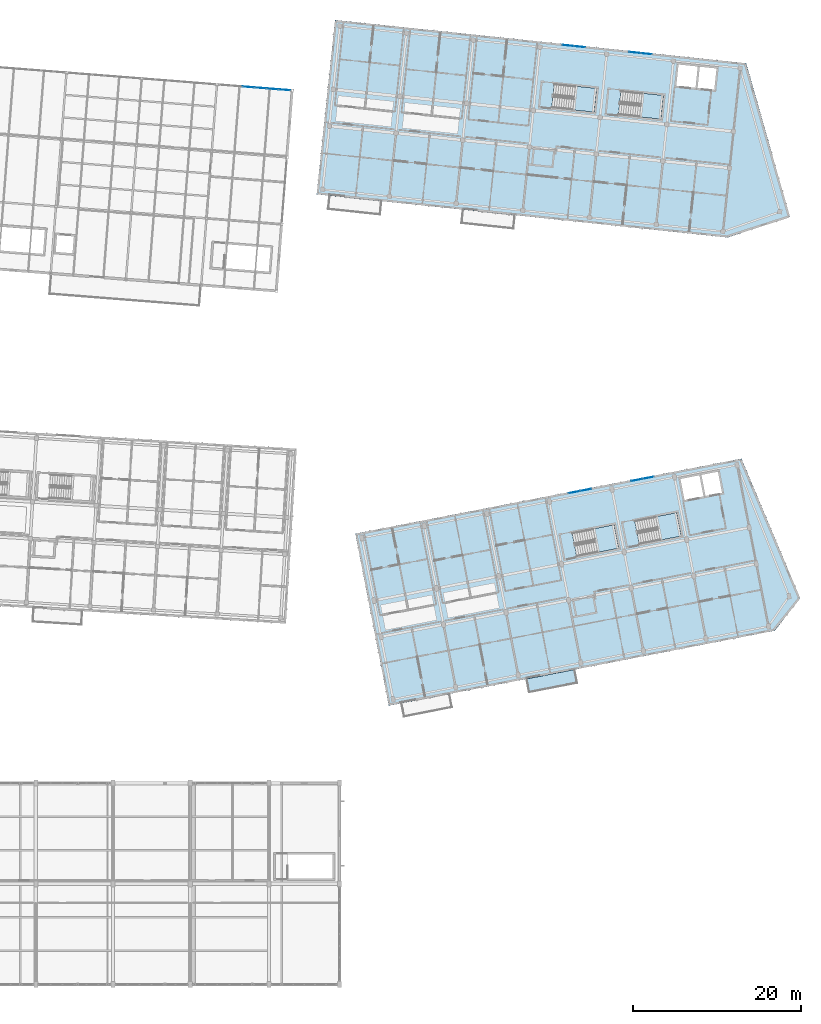
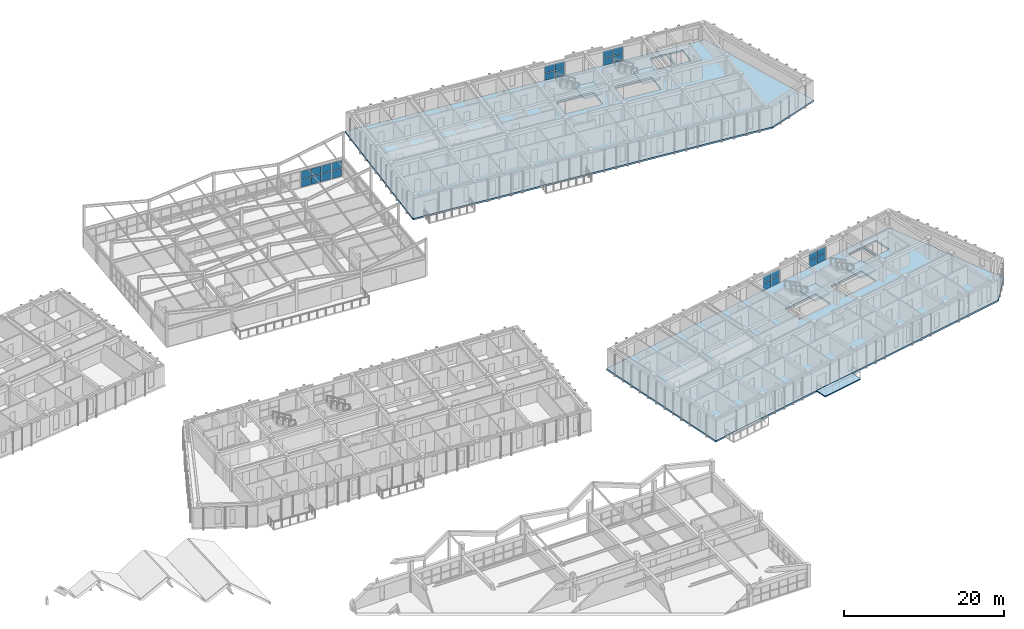
# One storey, part 71 of 127: 24 plates, 7 slabs, 9 elements without a shape of their own.
"""IFC4 building model written with IfcOpenShell, lengths in metres."""

from ifc_helpers import new_model, si_unit, direction, frame, origin, origin_2d, place, context, subcontext, project, spatial, polyline, rectangle, outline, extrude, material, layer, layer_set, type_object, element, aggregate, save


model = new_model("IFC4")

# Units and contexts
model_context = context("Model", 3, precision=1e-05, world=origin(), true_north=direction((0.0, 1.0)))
body_context = subcontext(model_context, "Body", "Model", "MODEL_VIEW")
ifc_project = project(units=[si_unit("LENGTHUNIT", "METRE"), si_unit("AREAUNIT", "SQUARE_METRE"), si_unit("VOLUMEUNIT", "CUBIC_METRE"), si_unit("PLANEANGLEUNIT", "RADIAN"), si_unit("MASSUNIT", "GRAM", prefix="KILO")], contexts=[model_context])

# Site, building, storey
site_placement = place(None, origin())
site = spatial("IfcSite", under=ifc_project, at=site_placement, CompositionType="ELEMENT")
building_placement = place(site_placement, origin())
building = spatial("IfcBuilding", under=site, at=building_placement, Name="Kestramere Prow Commons", CompositionType="ELEMENT")
storey_placement = place(building_placement, frame((0.0, 0.0, 8.39990234375)))
storey = spatial("IfcBuildingStorey", under=building, at=storey_placement, Name="L02", CompositionType="ELEMENT", Elevation=8.39990234375)

# Curtain wall, plates
ifc_material_1 = material(Name="Anodised Aluminium and Low-E Glass", Category="aluminium")
curtain_wall_type_1 = type_object("IfcCurtainWallType", Name="CW-03 Glazed Curtain Wall 2830x2320", PredefinedType="USERDEFINED", material=ifc_material_1)
curtain_wall_1_placement = place(storey_placement, origin())
curtain_wall_1 = element("IfcCurtainWall", 1, at=curtain_wall_1_placement, inside=storey, type_object=curtain_wall_type_1, Name="Block B L02 Stairwell Vertical Glazing 4", ObjectType="GLAZED CURTAIN WALL", PredefinedType="USERDEFINED")
ifc_material_2 = material(Name="Low-E Laminated Double Glazing", Category="glass")
ifc_layer_1 = layer(ifc_material_2, 0.028076171875)
ifc_layer_set_1 = layer_set([ifc_layer_1], Name="Low-E Laminated Double Glazing")
plate_type = type_object("IfcPlateType", Name="CW-PNL-28", PredefinedType="CURTAIN_PANEL", material=ifc_layer_set_1)
plate_1_placement = place(storey_placement, frame((139.2626953125, 111.960205078125, 0.065185546875), z_axis=(0.0, 0.0, 1.0), x_axis=(0.994521879016, -0.104528618845, 0.0)))
plate_1 = element("IfcPlate", 2, at=plate_1_placement, type_object=plate_type, Name="CW-03 panel 1.1", PredefinedType="CURTAIN_PANEL", context=body_context, shape_type="SweptSolid", body=[
    extrude(rectangle(XDim=1.3173828125, YDim=0.028076171875, at=origin_2d()), origin(), (0.0, 0.0, 1.0), 1.0625),
])
plate_2_placement = place(storey_placement, frame((139.2626953125, 111.960205078125, 1.192626953125), z_axis=(0.0, 0.0, 1.0), x_axis=(0.994521879016, -0.104528618845, 0.0)))
plate_2 = element("IfcPlate", 3, at=plate_2_placement, type_object=plate_type, Name="CW-03 panel 1.2", PredefinedType="CURTAIN_PANEL", context=body_context, shape_type="SweptSolid", body=[
    extrude(rectangle(XDim=1.3173828125, YDim=0.028076171875, at=origin_2d()), origin(), (0.0, 0.0, 1.0), 1.0625),
])
plate_3_placement = place(storey_placement, frame((140.6376953125, 111.815673828125, 0.065185546875), z_axis=(0.0, 0.0, 1.0), x_axis=(0.994521879016, -0.104528618845, 0.0)))
plate_3 = element("IfcPlate", 4, at=plate_3_placement, type_object=plate_type, Name="CW-03 panel 2.1", PredefinedType="CURTAIN_PANEL", context=body_context, shape_type="SweptSolid", body=[
    extrude(rectangle(XDim=1.3173828125, YDim=0.028076171875, at=origin_2d()), origin(), (0.0, 0.0, 1.0), 1.0625),
])
plate_4_placement = place(storey_placement, frame((140.6376953125, 111.815673828125, 1.192626953125), z_axis=(0.0, 0.0, 1.0), x_axis=(0.994521879016, -0.104528618845, 0.0)))
plate_4 = element("IfcPlate", 5, at=plate_4_placement, type_object=plate_type, Name="CW-03 panel 2.2", PredefinedType="CURTAIN_PANEL", context=body_context, shape_type="SweptSolid", body=[
    extrude(rectangle(XDim=1.3173828125, YDim=0.028076171875, at=origin_2d()), origin(), (0.0, 0.0, 1.0), 1.0625),
])
aggregate(curtain_wall_1, [plate_1, plate_2, plate_3, plate_4])

curtain_wall_2_placement = place(storey_placement, origin())
curtain_wall_2 = element("IfcCurtainWall", 6, at=curtain_wall_2_placement, inside=storey, type_object=curtain_wall_type_1, Name="Block B L02 Stairwell Vertical Glazing 5", ObjectType="GLAZED CURTAIN WALL", PredefinedType="USERDEFINED")
plate_5_placement = place(storey_placement, frame((147.218994140625, 111.1240234375, 0.065185546875), z_axis=(0.0, 0.0, 1.0), x_axis=(0.99452191575, -0.104528269348, 0.0)))
plate_5 = element("IfcPlate", 7, at=plate_5_placement, type_object=plate_type, Name="CW-03 panel 1.1", PredefinedType="CURTAIN_PANEL", context=body_context, shape_type="SweptSolid", body=[
    extrude(rectangle(XDim=1.3173828125, YDim=0.028076171875, at=origin_2d()), origin(), (0.0, 0.0, 1.0), 1.0625),
])
plate_6_placement = place(storey_placement, frame((147.218994140625, 111.1240234375, 1.192626953125), z_axis=(0.0, 0.0, 1.0), x_axis=(0.99452191575, -0.104528269348, 0.0)))
plate_6 = element("IfcPlate", 8, at=plate_6_placement, type_object=plate_type, Name="CW-03 panel 1.2", PredefinedType="CURTAIN_PANEL", context=body_context, shape_type="SweptSolid", body=[
    extrude(rectangle(XDim=1.3173828125, YDim=0.028076171875, at=origin_2d()), origin(), (0.0, 0.0, 1.0), 1.0625),
])
plate_7_placement = place(storey_placement, frame((148.593994140625, 110.9794921875, 0.065185546875), z_axis=(0.0, 0.0, 1.0), x_axis=(0.99452191575, -0.104528269348, 0.0)))
plate_7 = element("IfcPlate", 9, at=plate_7_placement, type_object=plate_type, Name="CW-03 panel 2.1", PredefinedType="CURTAIN_PANEL", context=body_context, shape_type="SweptSolid", body=[
    extrude(rectangle(XDim=1.3173828125, YDim=0.028076171875, at=origin_2d()), origin(), (0.0, 0.0, 1.0), 1.0625),
])
plate_8_placement = place(storey_placement, frame((148.593994140625, 110.9794921875, 1.192626953125), z_axis=(0.0, 0.0, 1.0), x_axis=(0.99452191575, -0.104528269348, 0.0)))
plate_8 = element("IfcPlate", 10, at=plate_8_placement, type_object=plate_type, Name="CW-03 panel 2.2", PredefinedType="CURTAIN_PANEL", context=body_context, shape_type="SweptSolid", body=[
    extrude(rectangle(XDim=1.3173828125, YDim=0.028076171875, at=origin_2d()), origin(), (0.0, 0.0, 1.0), 1.0625),
])
aggregate(curtain_wall_2, [plate_5, plate_6, plate_7, plate_8])

curtain_wall_3_placement = place(storey_placement, origin())
curtain_wall_3 = element("IfcCurtainWall", 11, at=curtain_wall_3_placement, inside=storey, type_object=curtain_wall_type_1, Name="Block D L02 Stairwell Vertical Glazing 4", ObjectType="GLAZED CURTAIN WALL", PredefinedType="USERDEFINED")
plate_9_placement = place(storey_placement, frame((139.99267578125, 58.698974609375, 0.065185546875), z_axis=(0.0, 0.0, 1.0), x_axis=(0.981627214599, 0.190808835118, 0.0)))
plate_9 = element("IfcPlate", 12, at=plate_9_placement, type_object=plate_type, Name="CW-03 panel 1.1", PredefinedType="CURTAIN_PANEL", context=body_context, shape_type="SweptSolid", body=[
    extrude(rectangle(XDim=1.3173828125, YDim=0.028076171875, at=origin_2d()), origin(), (0.0, 0.0, 1.0), 1.0625),
])
plate_10_placement = place(storey_placement, frame((139.99267578125, 58.698974609375, 1.192626953125), z_axis=(0.0, 0.0, 1.0), x_axis=(0.981627214599, 0.190808835118, 0.0)))
plate_10 = element("IfcPlate", 13, at=plate_10_placement, type_object=plate_type, Name="CW-03 panel 1.2", PredefinedType="CURTAIN_PANEL", context=body_context, shape_type="SweptSolid", body=[
    extrude(rectangle(XDim=1.3173828125, YDim=0.028076171875, at=origin_2d()), origin(), (0.0, 0.0, 1.0), 1.0625),
])
plate_11_placement = place(storey_placement, frame((141.349853515625, 58.962646484375, 0.065185546875), z_axis=(0.0, 0.0, 1.0), x_axis=(0.981627214599, 0.190808835118, 0.0)))
plate_11 = element("IfcPlate", 14, at=plate_11_placement, type_object=plate_type, Name="CW-03 panel 2.1", PredefinedType="CURTAIN_PANEL", context=body_context, shape_type="SweptSolid", body=[
    extrude(rectangle(XDim=1.3173828125, YDim=0.028076171875, at=origin_2d()), origin(), (0.0, 0.0, 1.0), 1.0625),
])
plate_12_placement = place(storey_placement, frame((141.349853515625, 58.962646484375, 1.192626953125), z_axis=(0.0, 0.0, 1.0), x_axis=(0.981627214599, 0.190808835118, 0.0)))
plate_12 = element("IfcPlate", 15, at=plate_12_placement, type_object=plate_type, Name="CW-03 panel 2.2", PredefinedType="CURTAIN_PANEL", context=body_context, shape_type="SweptSolid", body=[
    extrude(rectangle(XDim=1.3173828125, YDim=0.028076171875, at=origin_2d()), origin(), (0.0, 0.0, 1.0), 1.0625),
])
aggregate(curtain_wall_3, [plate_9, plate_10, plate_11, plate_12])

curtain_wall_4_placement = place(storey_placement, origin())
curtain_wall_4 = element("IfcCurtainWall", 16, at=curtain_wall_4_placement, inside=storey, type_object=curtain_wall_type_1, Name="Block D L02 Stairwell Vertical Glazing 5", ObjectType="GLAZED CURTAIN WALL", PredefinedType="USERDEFINED")
plate_13_placement = place(storey_placement, frame((147.453125, 60.14892578125, 0.065185546875), z_axis=(0.0, 0.0, 1.0), x_axis=(0.981627214599, 0.190808835118, 0.0)))
plate_13 = element("IfcPlate", 17, at=plate_13_placement, type_object=plate_type, Name="CW-03 panel 1.1", PredefinedType="CURTAIN_PANEL", context=body_context, shape_type="SweptSolid", body=[
    extrude(rectangle(XDim=1.3173828125, YDim=0.028076171875, at=origin_2d()), origin(), (0.0, 0.0, 1.0), 1.0625),
])
plate_14_placement = place(storey_placement, frame((147.453125, 60.14892578125, 1.192626953125), z_axis=(0.0, 0.0, 1.0), x_axis=(0.981627214599, 0.190808835118, 0.0)))
plate_14 = element("IfcPlate", 18, at=plate_14_placement, type_object=plate_type, Name="CW-03 panel 1.2", PredefinedType="CURTAIN_PANEL", context=body_context, shape_type="SweptSolid", body=[
    extrude(rectangle(XDim=1.3173828125, YDim=0.028076171875, at=origin_2d()), origin(), (0.0, 0.0, 1.0), 1.0625),
])
plate_15_placement = place(storey_placement, frame((148.81005859375, 60.412841796875, 0.065185546875), z_axis=(0.0, 0.0, 1.0), x_axis=(0.981627214599, 0.190808835118, 0.0)))
plate_15 = element("IfcPlate", 19, at=plate_15_placement, type_object=plate_type, Name="CW-03 panel 2.1", PredefinedType="CURTAIN_PANEL", context=body_context, shape_type="SweptSolid", body=[
    extrude(rectangle(XDim=1.3173828125, YDim=0.028076171875, at=origin_2d()), origin(), (0.0, 0.0, 1.0), 1.0625),
])
plate_16_placement = place(storey_placement, frame((148.81005859375, 60.412841796875, 1.192626953125), z_axis=(0.0, 0.0, 1.0), x_axis=(0.981627214599, 0.190808835118, 0.0)))
plate_16 = element("IfcPlate", 20, at=plate_16_placement, type_object=plate_type, Name="CW-03 panel 2.2", PredefinedType="CURTAIN_PANEL", context=body_context, shape_type="SweptSolid", body=[
    extrude(rectangle(XDim=1.3173828125, YDim=0.028076171875, at=origin_2d()), origin(), (0.0, 0.0, 1.0), 1.0625),
])
aggregate(curtain_wall_4, [plate_13, plate_14, plate_15, plate_16])

curtain_wall_type_2 = type_object("IfcCurtainWallType", Name="CW-17 Glazed Curtain Wall 8600x2580", PredefinedType="USERDEFINED", material=ifc_material_1)
curtain_wall_5_placement = place(storey_placement, origin())
curtain_wall_5 = element("IfcCurtainWall", 21, at=curtain_wall_5_placement, inside=storey, type_object=curtain_wall_type_2, Name="Nursery L02 North Garden Glazing 4", ObjectType="GLAZED CURTAIN WALL", PredefinedType="USERDEFINED")
plate_17_placement = place(storey_placement, frame((101.17138671875, 107.0107421875, 0.065185546875), z_axis=(0.0, 0.0, 1.0), x_axis=(0.996917326618, -0.078459186136, 0.0)))
plate_17 = element("IfcPlate", 22, at=plate_17_placement, type_object=plate_type, Name="CW-17 panel 3.1", PredefinedType="CURTAIN_PANEL", context=body_context, shape_type="SweptSolid", body=[
    extrude(rectangle(XDim=1.368408203125, YDim=0.028076171875, at=origin_2d()), origin(), (0.0, 0.0, 1.0), 1.1923828125),
])
plate_18_placement = place(storey_placement, frame((101.17138671875, 107.0107421875, 1.32275390625), z_axis=(0.0, 0.0, 1.0), x_axis=(0.996917326618, -0.078459186136, 0.0)))
plate_18 = element("IfcPlate", 23, at=plate_18_placement, type_object=plate_type, Name="CW-17 panel 3.2", PredefinedType="CURTAIN_PANEL", context=body_context, shape_type="SweptSolid", body=[
    extrude(rectangle(XDim=1.368408203125, YDim=0.028076171875, at=origin_2d()), origin(), (0.0, 0.0, 1.0), 1.1923828125),
])
plate_19_placement = place(storey_placement, frame((102.600341796875, 106.8984375, 0.065185546875), z_axis=(0.0, 0.0, 1.0), x_axis=(0.996917326618, -0.078459186136, 0.0)))
plate_19 = element("IfcPlate", 24, at=plate_19_placement, type_object=plate_type, Name="CW-17 panel 4.1", PredefinedType="CURTAIN_PANEL", context=body_context, shape_type="SweptSolid", body=[
    extrude(rectangle(XDim=1.368408203125, YDim=0.028076171875, at=origin_2d()), origin(), (0.0, 0.0, 1.0), 1.1923828125),
])
plate_20_placement = place(storey_placement, frame((102.600341796875, 106.8984375, 1.32275390625), z_axis=(0.0, 0.0, 1.0), x_axis=(0.996917326618, -0.078459186136, 0.0)))
plate_20 = element("IfcPlate", 25, at=plate_20_placement, type_object=plate_type, Name="CW-17 panel 4.2", PredefinedType="CURTAIN_PANEL", context=body_context, shape_type="SweptSolid", body=[
    extrude(rectangle(XDim=1.368408203125, YDim=0.028076171875, at=origin_2d()), origin(), (0.0, 0.0, 1.0), 1.1923828125),
])
plate_21_placement = place(storey_placement, frame((104.029296875, 106.785888671875, 0.065185546875), z_axis=(0.0, 0.0, 1.0), x_axis=(0.996917326618, -0.078459186136, 0.0)))
plate_21 = element("IfcPlate", 26, at=plate_21_placement, type_object=plate_type, Name="CW-17 panel 5.1", PredefinedType="CURTAIN_PANEL", context=body_context, shape_type="SweptSolid", body=[
    extrude(rectangle(XDim=1.368408203125, YDim=0.028076171875, at=origin_2d()), origin(), (0.0, 0.0, 1.0), 1.1923828125),
])
plate_22_placement = place(storey_placement, frame((104.029296875, 106.785888671875, 1.32275390625), z_axis=(0.0, 0.0, 1.0), x_axis=(0.996917326618, -0.078459186136, 0.0)))
plate_22 = element("IfcPlate", 27, at=plate_22_placement, type_object=plate_type, Name="CW-17 panel 5.2", PredefinedType="CURTAIN_PANEL", context=body_context, shape_type="SweptSolid", body=[
    extrude(rectangle(XDim=1.368408203125, YDim=0.028076171875, at=origin_2d()), origin(), (0.0, 0.0, 1.0), 1.1923828125),
])
plate_23_placement = place(storey_placement, frame((105.44189453125, 106.6748046875, 0.065185546875), z_axis=(0.0, 0.0, 1.0), x_axis=(0.996917326618, -0.078459186136, 0.0)))
plate_23 = element("IfcPlate", 28, at=plate_23_placement, type_object=plate_type, Name="CW-17 panel 6.1", PredefinedType="CURTAIN_PANEL", context=body_context, shape_type="SweptSolid", body=[
    extrude(rectangle(XDim=1.3359375, YDim=0.028076171875, at=origin_2d()), origin(), (0.0, 0.0, 1.0), 1.1923828125),
])
plate_24_placement = place(storey_placement, frame((105.44189453125, 106.6748046875, 1.32275390625), z_axis=(0.0, 0.0, 1.0), x_axis=(0.996917326618, -0.078459186136, 0.0)))
plate_24 = element("IfcPlate", 29, at=plate_24_placement, type_object=plate_type, Name="CW-17 panel 6.2", PredefinedType="CURTAIN_PANEL", context=body_context, shape_type="SweptSolid", body=[
    extrude(rectangle(XDim=1.3359375, YDim=0.028076171875, at=origin_2d()), origin(), (0.0, 0.0, 1.0), 1.1923828125),
])
aggregate(curtain_wall_5, [plate_17, plate_18, plate_19, plate_20, plate_21, plate_22, plate_23, plate_24])

# Slabs
ifc_material_3 = material(Name="Precast concrete C40/50", Category="concrete")
ifc_layer_2 = layer(ifc_material_3, 0.179931640625)
ifc_layer_set_2 = layer_set([ifc_layer_2], Name="Precast concrete C40/50")
slab_type_1 = type_object("IfcSlabType", Name="SL-BALC-180", PredefinedType="FLOOR", material=ifc_layer_set_2)
slab_1_placement = place(storey_placement, frame((0.0, 0.0, -0.179931640625)))
element("IfcSlab", 30, at=slab_1_placement, inside=storey, type_object=slab_type_1, Name="Block D L02 Apartment Balcony Slab 3", PredefinedType="FLOOR", context=body_context, shape_type="SweptSolid", body=[
    extrude(outline(polyline([(134.593994140625, 34.8046875), (140.385498046875, 35.930419921875), (140.07080078125, 37.55029296875), (134.279052734375, 36.42431640625), (134.593994140625, 34.8046875)])), origin(), (0.0, 0.0, 1.0), 0.179931640625),
])
ifc_layer_3 = layer(ifc_material_3, 0.25)
ifc_layer_set_3 = layer_set([ifc_layer_3], Name="Precast concrete C40/50")
slab_type_2 = type_object("IfcSlabType", Name="SL-HC-250", PredefinedType="FLOOR", material=ifc_layer_set_3)
slab_2_placement = place(storey_placement, frame((0.0, 0.0, -0.25)))
element("IfcSlab", 31, at=slab_2_placement, inside=storey, type_object=slab_type_2, Name="Block B L02 Hollowcore Floor Slab", PredefinedType="FLOOR", context=body_context, shape_type="SweptSolid", body=[
    extrude(outline(polyline([(109.28564453125, 94.221435546875), (158.3154296875, 89.068359375), (165.71630859375, 91.558349609375), (160.500244140625, 109.853759765625), (111.47021484375, 115.007080078125), (109.28564453125, 94.221435546875)]), holes=[polyline([(152.1728515625, 107.159423828125), (154.46044921875, 106.9189453125), (154.726806640625, 109.455078125), (152.439453125, 109.695556640625), (152.1728515625, 107.159423828125)]), polyline([(154.708984375, 106.892822265625), (156.697998046875, 106.683837890625), (156.964599609375, 109.219970703125), (154.9755859375, 109.428955078125), (154.708984375, 106.892822265625)]), polyline([(137.318603515625, 104.5478515625), (142.390625, 104.0146484375), (142.6884765625, 106.84912109375), (137.616455078125, 107.38232421875), (137.318603515625, 104.5478515625)]), polyline([(145.274658203125, 103.711669921875), (150.346923828125, 103.178466796875), (150.644775390625, 106.012939453125), (145.57275390625, 106.5458984375), (145.274658203125, 103.711669921875)])]), origin(), (0.0, 0.0, 1.0), 0.25),
])
slab_3_placement = place(storey_placement, frame((0.0, 0.0, -0.25)))
element("IfcSlab", 32, at=slab_3_placement, inside=storey, type_object=slab_type_2, Name="Block D L02 Hollowcore Floor Slab", PredefinedType="FLOOR", context=body_context, shape_type="SweptSolid", body=[
    extrude(outline(polyline([(117.885986328125, 33.238037109375), (163.92431640625, 42.186767578125), (166.936279296875, 46.083251953125), (159.936279296875, 62.702880859375), (113.89794921875, 53.75390625), (117.885986328125, 33.238037109375)]), holes=[polyline([(153.1533203125, 57.767822265625), (155.4111328125, 58.206787109375), (154.924560546875, 60.7099609375), (152.666748046875, 60.27099609375), (153.1533203125, 57.767822265625)]), polyline([(155.656494140625, 58.25439453125), (157.619873046875, 58.63623046875), (157.13330078125, 61.13916015625), (155.169921875, 60.757568359375), (155.656494140625, 58.25439453125)]), polyline([(140.300537109375, 51.0419921875), (145.306884765625, 52.01513671875), (144.76318359375, 54.812744140625), (139.7568359375, 53.839599609375), (140.300537109375, 51.0419921875)]), polyline([(147.760986328125, 52.4921875), (152.767333984375, 53.46533203125), (152.223388671875, 56.262939453125), (147.21728515625, 55.289794921875), (147.760986328125, 52.4921875)])]), origin(), (0.0, 0.0, 1.0), 0.25),
])

# Stair, slab
ifc_material_4 = material(Name="Concrete C40/50", Category="concrete")
stair_type = type_object("IfcStairType", Name="ST-DOG-1350", PredefinedType="HALF_TURN_STAIR", material=ifc_material_4)
stair_1_placement = place(storey_placement, origin())
stair_1 = element("IfcStair", 33, at=stair_1_placement, inside=storey, type_object=stair_type, Name="L02 Block B Exit Stair 1", PredefinedType="HALF_TURN_STAIR")
ifc_layer_4 = layer(ifc_material_4, 0.199951171875)
ifc_layer_set_4 = layer_set([ifc_layer_4], Name="Concrete C40/50")
slab_type_3 = type_object("IfcSlabType", Name="SL-ST-LAND-200", PredefinedType="LANDING", material=ifc_layer_set_4)
slab_4_placement = place(storey_placement, frame((0.0, 0.0, 1.425048828125)))
slab_4 = element("IfcSlab", 34, at=slab_4_placement, type_object=slab_type_3, Name="ST-B1 landing 1", PredefinedType="LANDING", context=body_context, shape_type="SweptSolid", body=[
    extrude(outline(polyline([(139.82470703125, 104.284423828125), (142.390625, 104.0146484375), (142.6884765625, 106.84912109375), (140.122802734375, 107.118896484375), (139.82470703125, 104.284423828125)])), origin(), (0.0, 0.0, 1.0), 0.199951171875),
])
aggregate(stair_1, [slab_4])

stair_2_placement = place(storey_placement, origin())
stair_2 = element("IfcStair", 35, at=stair_2_placement, inside=storey, type_object=stair_type, Name="L02 Block B Exit Stair 2", PredefinedType="HALF_TURN_STAIR")
slab_5_placement = place(storey_placement, frame((0.0, 0.0, 1.425048828125)))
slab_5 = element("IfcSlab", 36, at=slab_5_placement, type_object=slab_type_3, Name="ST-B2 landing 1", PredefinedType="LANDING", context=body_context, shape_type="SweptSolid", body=[
    extrude(outline(polyline([(147.781005859375, 103.4482421875), (150.346923828125, 103.178466796875), (150.644775390625, 106.012939453125), (148.078857421875, 106.282470703125), (147.781005859375, 103.4482421875)])), origin(), (0.0, 0.0, 1.0), 0.199951171875),
])
aggregate(stair_2, [slab_5])

stair_3_placement = place(storey_placement, origin())
stair_3 = element("IfcStair", 37, at=stair_3_placement, inside=storey, type_object=stair_type, Name="L02 Block D Exit Stair 1", PredefinedType="HALF_TURN_STAIR")
slab_6_placement = place(storey_placement, frame((0.0, 0.0, 1.425048828125)))
slab_6 = element("IfcSlab", 38, at=slab_6_placement, type_object=slab_type_3, Name="ST-D1 landing 1", PredefinedType="LANDING", context=body_context, shape_type="SweptSolid", body=[
    extrude(outline(polyline([(142.7744140625, 51.522705078125), (145.306884765625, 52.01513671875), (144.76318359375, 54.812744140625), (142.23046875, 54.3203125), (142.7744140625, 51.522705078125)])), origin(), (0.0, 0.0, 1.0), 0.199951171875),
])
aggregate(stair_3, [slab_6])

stair_4_placement = place(storey_placement, origin())
stair_4 = element("IfcStair", 39, at=stair_4_placement, inside=storey, type_object=stair_type, Name="L02 Block D Exit Stair 2", PredefinedType="HALF_TURN_STAIR")
slab_7_placement = place(storey_placement, frame((0.0, 0.0, 1.425048828125)))
slab_7 = element("IfcSlab", 40, at=slab_7_placement, type_object=slab_type_3, Name="ST-D2 landing 1", PredefinedType="LANDING", context=body_context, shape_type="SweptSolid", body=[
    extrude(outline(polyline([(150.234619140625, 52.972900390625), (152.767333984375, 53.46533203125), (152.223388671875, 56.262939453125), (149.69091796875, 55.7705078125), (150.234619140625, 52.972900390625)])), origin(), (0.0, 0.0, 1.0), 0.199951171875),
])
aggregate(stair_4, [slab_7])

save(model, "model.ifc")
